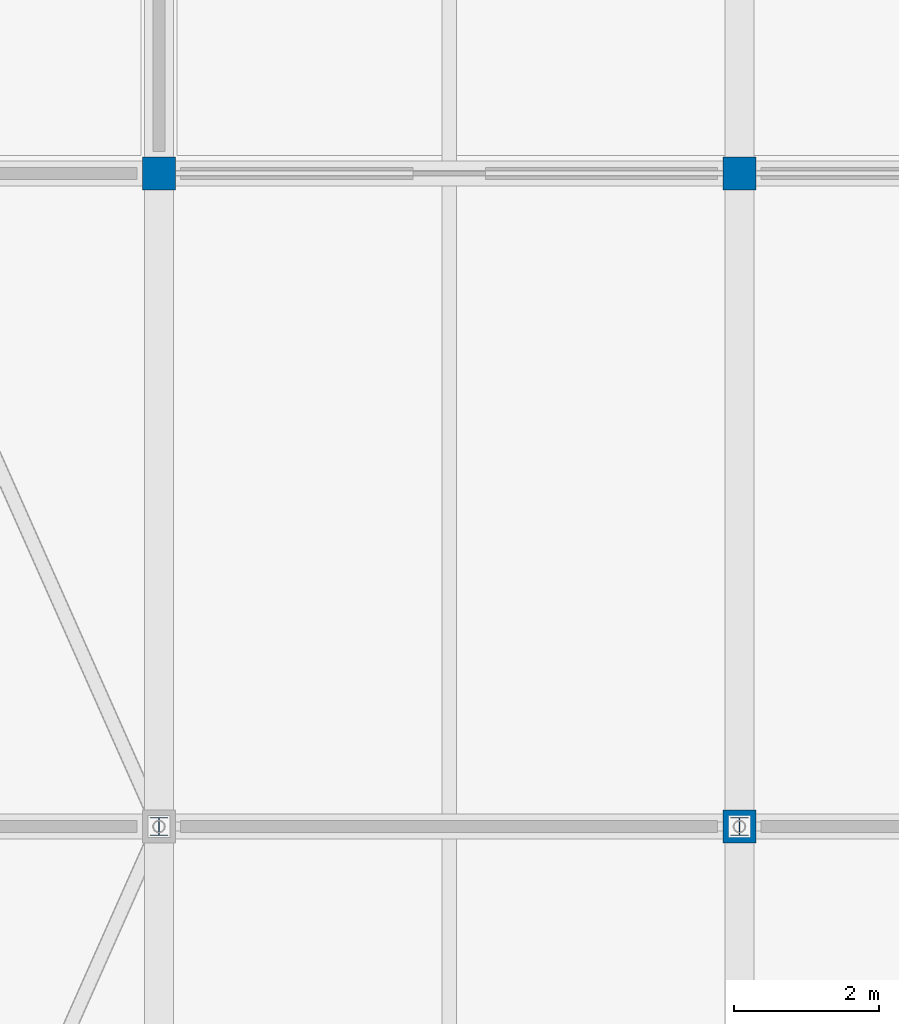
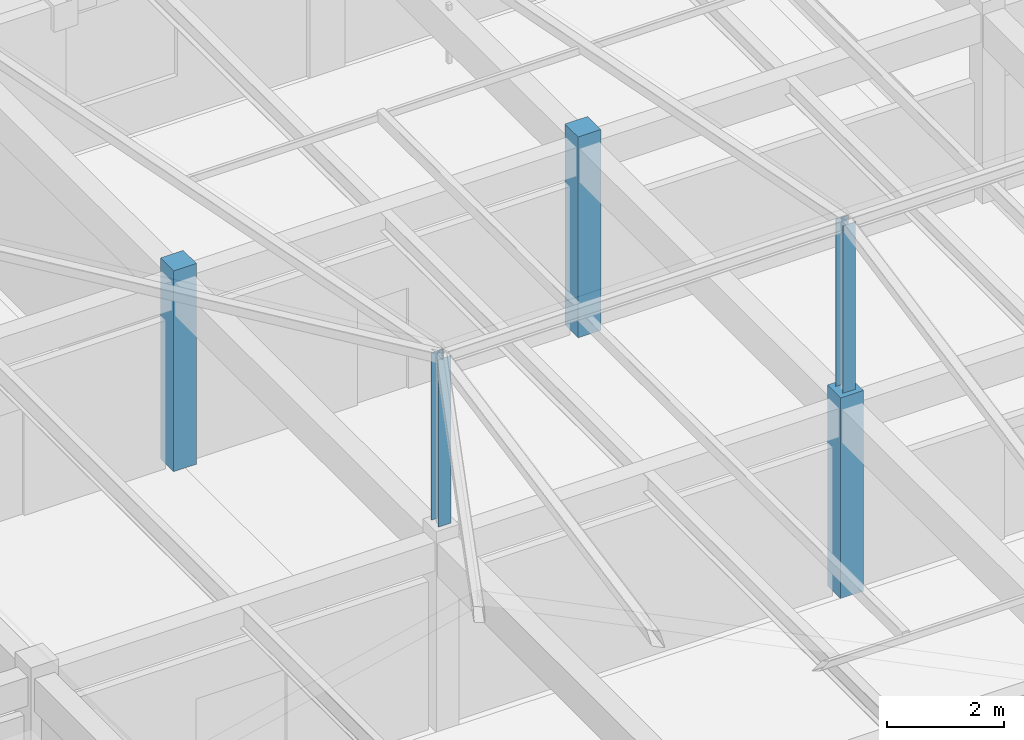
# One storey, part 3 of 126: 5 columns.
"""IFC4 building model written with IfcOpenShell, lengths in metres."""

import ifcopenshell
import ifcopenshell.guid

model = None  # the IFC model being written
_history = None  # IfcOwnerHistory: only IFC2X3 demands one
_inside = {}  # id of a spatial element -> (the spatial element, [elements in it])
_under = {}  # id of a project, library or spatial element -> (it, [spatial elements below it])
_declared = {}  # id of a project -> (the project, [libraries it declares])
_typed = {}  # id of a type object -> (the type object, [elements of that type])
_made_of = {}  # id of a material, layer set ... -> (it, [elements and type objects made of it])


def new_model(schema):
    """Start an empty IFC model of exactly this schema.

    Asked for "IFC4X3", IfcOpenShell would pick the latest addendum, in which some entities
    have other attributes; the version numbers below select the first issue.
    IFC2X3 requires an IfcOwnerHistory on every rooted entity: one is made here for all.
    """
    global model, _history
    if schema == "IFC4X3":
        model = ifcopenshell.file(schema_version=(4, 3, 0, 0))
    else:
        model = ifcopenshell.file(schema=schema)
    _inside.clear()
    _under.clear()
    _declared.clear()
    _typed.clear()
    _made_of.clear()
    _history = None
    if model.schema == "IFC2X3":
        org = make("IfcOrganization", Name="unknown")
        user = make(
            "IfcPersonAndOrganization",
            ThePerson=make("IfcPerson", FamilyName="unknown"),
            TheOrganization=org,
        )
        app = make(
            "IfcApplication",
            ApplicationDeveloper=org,
            Version="unknown",
            ApplicationFullName="unknown",
            ApplicationIdentifier="unknown",
        )
        _history = make(
            "IfcOwnerHistory",
            OwningUser=user,
            OwningApplication=app,
            ChangeAction="ADDED",
            CreationDate=0,
        )
    return model


def make(cls, **values):
    """One entity of the class cls with the attributes given. An attribute that is None is left unset."""
    return model.create_entity(
        cls, **{name: value for name, value in values.items() if value is not None}
    )


def rooted(cls, **values):
    """An entity with a GlobalId (a new one), such as an element, a storey or a relation."""
    return make(cls, GlobalId=ifcopenshell.guid.new(), OwnerHistory=_history, **values)


def si_unit(unit_type, name, prefix=None):
    """IfcSIUnit, for example si_unit("LENGTHUNIT", "METRE", prefix="MILLI")."""
    return make("IfcSIUnit", UnitType=unit_type, Prefix=prefix, Name=name)


def assignment(units):
    """IfcUnitAssignment: the units of a project."""
    return None if units is None else make("IfcUnitAssignment", Units=units)


def point(xyz):
    """IfcCartesianPoint."""
    return None if xyz is None else make("IfcCartesianPoint", Coordinates=xyz)


def direction(xyz):
    """IfcDirection."""
    return None if xyz is None else make("IfcDirection", DirectionRatios=xyz)


def frame(location, z_axis=None, x_axis=None):
    """IfcAxis2Placement3D, a coordinate frame: its origin and axes. An axis left out is left unset."""
    return make(
        "IfcAxis2Placement3D",
        Location=point(location),
        Axis=direction(z_axis),
        RefDirection=direction(x_axis),
    )


def frame_2d(location, x_axis=None):
    """IfcAxis2Placement2D, a coordinate frame in the plane: its origin and x axis."""
    return make(
        "IfcAxis2Placement2D", Location=point(location), RefDirection=direction(x_axis)
    )


def origin():
    """The frame at (0, 0, 0) with its axes left unset."""
    return frame((0.0, 0.0, 0.0))


def origin_2d():
    """The frame at (0, 0) in the plane with its x axis left unset."""
    return frame_2d((0.0, 0.0))


def place(relative_to, where):
    """IfcLocalPlacement: puts the frame where relative to a parent placement (None: the world)."""
    return make(
        "IfcLocalPlacement", PlacementRelTo=relative_to, RelativePlacement=where
    )


def context(
    kind, dimensions, precision=None, world=None, true_north=None, identifier=None
):
    """IfcGeometricRepresentationContext, for example the 3D "Model" context."""
    return make(
        "IfcGeometricRepresentationContext",
        ContextIdentifier=identifier,
        ContextType=kind,
        CoordinateSpaceDimension=dimensions,
        Precision=precision,
        WorldCoordinateSystem=world,
        TrueNorth=true_north,
    )


def subcontext(parent, identifier, kind, view, scale=None):
    """IfcGeometricRepresentationSubContext, for example "Body" below "Model"."""
    return make(
        "IfcGeometricRepresentationSubContext",
        ContextIdentifier=identifier,
        ContextType=kind,
        ParentContext=parent,
        TargetScale=scale,
        TargetView=view,
    )


def project(units=None, contexts=None):
    """IfcProject with its units and contexts."""
    return rooted(
        "IfcProject",
        Name="project",
        RepresentationContexts=contexts,
        UnitsInContext=assignment(units),
    )


def spatial(cls, under=None, at=None, **own):
    """A site, building, storey or space (cls), placed at a placement, below another one or the project."""
    s = rooted(cls, ObjectPlacement=at, **own)
    if under is not None:
        _under.setdefault(under.id(), (under, []))[1].append(s)
    return s


def profile(cls, at=None, kind="AREA", **sizes):
    """A parametric profile (cls). Its sizes go by their IFC names, for example OverallWidth=200.0."""
    return make(cls, ProfileType=kind, Position=at, **sizes)


def rectangle(**sizes):
    """IfcRectangleProfileDef."""
    return profile("IfcRectangleProfileDef", **sizes)


def i_section(**sizes):
    """IfcIShapeProfileDef."""
    return profile("IfcIShapeProfileDef", **sizes)


def extrude(swept, where, along, depth):
    """IfcExtrudedAreaSolid: the profile swept, set in the frame where, extruded along a direction by depth."""
    return make(
        "IfcExtrudedAreaSolid",
        SweptArea=swept,
        Position=where,
        ExtrudedDirection=direction(along),
        Depth=depth,
    )


def shape(context_of_items, identifier, shape_type, items):
    """IfcShapeRepresentation: the items that make up one representation, for example the "Body"."""
    return make(
        "IfcShapeRepresentation",
        ContextOfItems=context_of_items,
        RepresentationIdentifier=identifier,
        RepresentationType=shape_type,
        Items=items,
    )


def material(Name=None, Category=None):
    """IfcMaterial."""
    return make("IfcMaterial", Name=Name, Category=Category)


def material_profile(
    of_material, cross_section, Name=None, Category=None, Priority=None
):
    """IfcMaterialProfile: a cross section and its material."""
    return make(
        "IfcMaterialProfile",
        Name=Name,
        Material=of_material,
        Profile=cross_section,
        Priority=Priority,
        Category=Category,
    )


def profile_set(profiles, Name=None, composite=None):
    """IfcMaterialProfileSet."""
    return make(
        "IfcMaterialProfileSet",
        Name=Name,
        MaterialProfiles=profiles,
        CompositeProfile=composite,
    )


def made_of(thing, what):
    """Note that an element or type object is made of a material, layer set ...; save() writes the relation."""
    if what is not None:
        _made_of.setdefault(what.id(), (what, []))[1].append(thing)
    return thing


def type_object(cls, material=None, **own):
    """A type object (cls), such as IfcWallType, which elements share."""
    return made_of(rooted(cls, **own), material)


def element(
    cls,
    number,
    at=None,
    inside=None,
    cuts=None,
    type_object=None,
    material=None,
    context=None,
    identifier="Body",
    shape_type=None,
    held_by="IfcProductDefinitionShape",
    body=None,
    shapes=None,
    **own,
):
    """One element of the class cls, such as IfcWall. Its Tag is "e" and its number.

    at: its placement. inside: the storey or other place that contains it. cuts: it is an
    opening in that element (IfcRelVoidsElement). A single representation is given by context,
    identifier, shape_type and body (its items); several are given by shapes. held_by: the class
    of the entity that holds the representations. save() writes the other relations.
    """
    e = rooted(cls, Tag="e%d" % number, ObjectPlacement=at, **own)
    if body is not None:
        shapes = [shape(context, identifier, shape_type, body)]
    if shapes is not None:
        e.Representation = make(held_by, Representations=shapes)
    if inside is not None:
        _inside.setdefault(inside.id(), (inside, []))[1].append(e)
    if cuts is not None:
        rooted(
            "IfcRelVoidsElement", RelatingBuildingElement=cuts, RelatedOpeningElement=e
        )
    if type_object is not None:
        _typed.setdefault(type_object.id(), (type_object, []))[1].append(e)
    return made_of(e, material)


def aggregate(whole, parts):
    """IfcRelAggregates: a whole, such as a stair, and the parts it consists of."""
    return rooted("IfcRelAggregates", RelatingObject=whole, RelatedObjects=parts)


def save(model, path):
    """Write the relations noted so far, then the file.

    IfcRelAggregates (storeys below a building ...), IfcRelContainedInSpatialStructure (elements
    in a storey), IfcRelDefinesByType, IfcRelAssociatesMaterial and IfcRelDeclares: one each for
    every whole, place, type object, material and project.
    """
    for whole, parts in _under.values():
        aggregate(whole, parts)
    for where, things in _inside.values():
        rooted(
            "IfcRelContainedInSpatialStructure",
            RelatedElements=things,
            RelatingStructure=where,
        )
    for kind, things in _typed.values():
        rooted("IfcRelDefinesByType", RelatedObjects=things, RelatingType=kind)
    for what, things in _made_of.values():
        rooted("IfcRelAssociatesMaterial", RelatedObjects=things, RelatingMaterial=what)
    for by, libraries in _declared.values():
        rooted("IfcRelDeclares", RelatingContext=by, RelatedDefinitions=libraries)
    model.write(path)


model = new_model("IFC4")

# Units and contexts
model_context = context("Model", 3, precision=1e-05, world=origin(), true_north=direction((0.0, 1.0)))
body_context = subcontext(model_context, "Body", "Model", "MODEL_VIEW")
ifc_project = project(units=[si_unit("LENGTHUNIT", "METRE"), si_unit("AREAUNIT", "SQUARE_METRE"), si_unit("VOLUMEUNIT", "CUBIC_METRE"), si_unit("PLANEANGLEUNIT", "RADIAN"), si_unit("MASSUNIT", "GRAM", prefix="KILO")], contexts=[model_context])

# Site, building, storey
site_placement = place(None, origin())
site = spatial("IfcSite", under=ifc_project, at=site_placement, CompositionType="ELEMENT")
building_placement = place(site_placement, origin())
building = spatial("IfcBuilding", under=site, at=building_placement, Name="Varnabhumi Central Station", CompositionType="ELEMENT")
storey_placement = place(building_placement, frame((0.0, 0.0, 16.199951171875)))
storey = spatial("IfcBuildingStorey", under=building, at=storey_placement, Name="L03", CompositionType="ELEMENT", Elevation=16.199951171875)

# Columns
ifc_material_1 = material(Name="Concrete M40", Category="concrete")
ifc_material_profile_1 = material_profile(ifc_material_1, rectangle(XDim=0.449951171875, YDim=0.449951171875, at=origin_2d()), Name="Concrete M40", Category="concrete")
ifc_profile_set_1 = profile_set([ifc_material_profile_1], Name="Concrete M40")
column_type_1 = type_object("IfcColumnType", Name="COL-RC-450", PredefinedType="COLUMN", material=ifc_profile_set_1)
for number, where, z_axis, x_axis, name in (
    (1, (104.0, 107.0, 0.0), (0.0, 0.0, 1.0), (1.0, 0.0, 0.0), "Column L03-14N"),
    (2, (112.0, 98.0, 0.0), (0.0, 0.0, 1.0), (1.0, 0.0, 0.0), "Column L03-15M"),
    (3, (112.0, 107.0, 0.0), (0.0, 0.0, 1.0), (1.0, 0.0, 0.0), "Column L03-15N"),
):
    element("IfcColumn", number, at=place(storey_placement, frame(where, z_axis=z_axis, x_axis=x_axis)), inside=storey, type_object=column_type_1, Name=name, PredefinedType="COLUMN", context=body_context, shape_type="SweptSolid", body=[
        extrude(rectangle(XDim=0.449951171875, YDim=0.449951171875, at=origin_2d()), origin(), (0.0, 0.0, 1.0), 4.199951171875),
    ])
ifc_material_2 = material(Name="Structural steel E350", Category="steel")
ifc_material_profile_2 = material_profile(ifc_material_2, i_section(OverallWidth=0.25, OverallDepth=0.25, WebThickness=0.0087890625, FlangeThickness=0.009765625, FilletRadius=0.010009765625, at=origin_2d()), Name="Structural steel E350", Category="steel")
ifc_profile_set_2 = profile_set([ifc_material_profile_2], Name="Structural steel E350")
column_type_2 = type_object("IfcColumnType", Name="COL-STL-ISHB250", PredefinedType="COLUMN", material=ifc_profile_set_2)
for number, where, z_axis, x_axis, name in (
    (4, (104.0, 98.0, 4.199951171875), (0.0, 0.0, 1.0), (1.0, 0.0, 0.0), "Roof Ridge King-Post NW4-2"),
    (5, (112.0, 98.0, 4.199951171875), (0.0, 0.0, 1.0), (1.0, 0.0, 0.0), "Roof Ridge King-Post NW4-3"),
):
    element("IfcColumn", number, at=place(storey_placement, frame(where, z_axis=z_axis, x_axis=x_axis)), inside=storey, type_object=column_type_2, Name=name, PredefinedType="COLUMN", context=body_context, shape_type="SweptSolid", body=[
        extrude(i_section(OverallWidth=0.25, OverallDepth=0.25, WebThickness=0.0087890625, FlangeThickness=0.009765625, FilletRadius=0.010009765625, at=origin_2d()), origin(), (0.0, 0.0, 1.0), 3.5),
    ])

save(model, "model.ifc")
